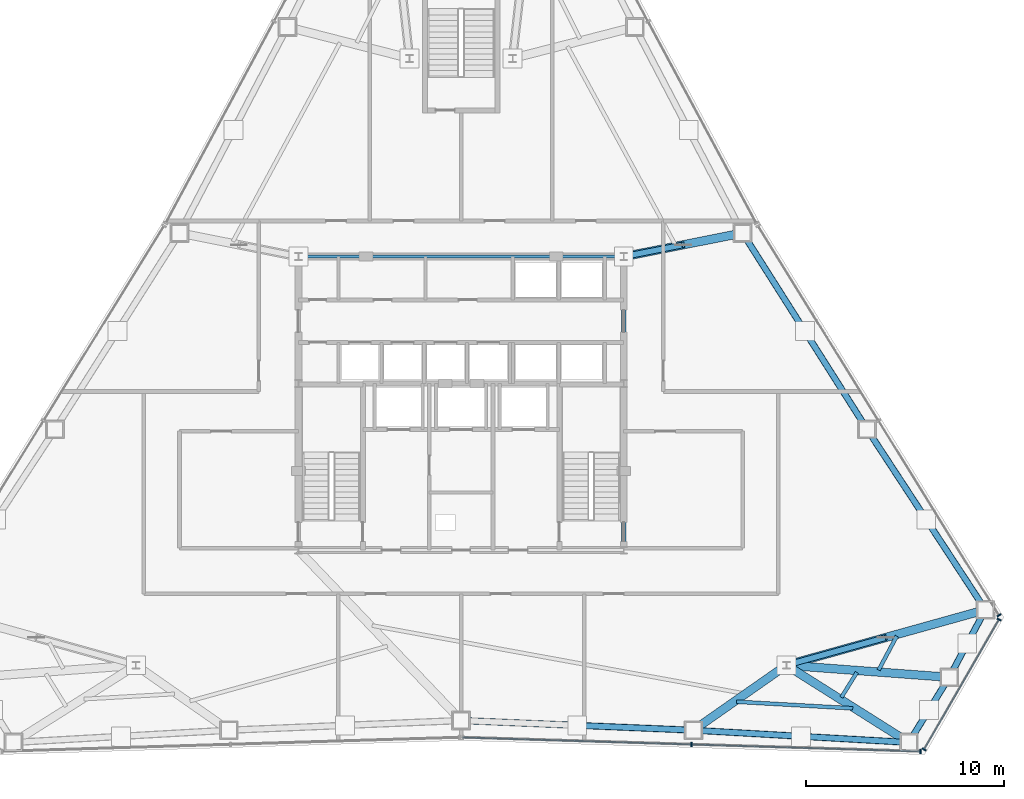
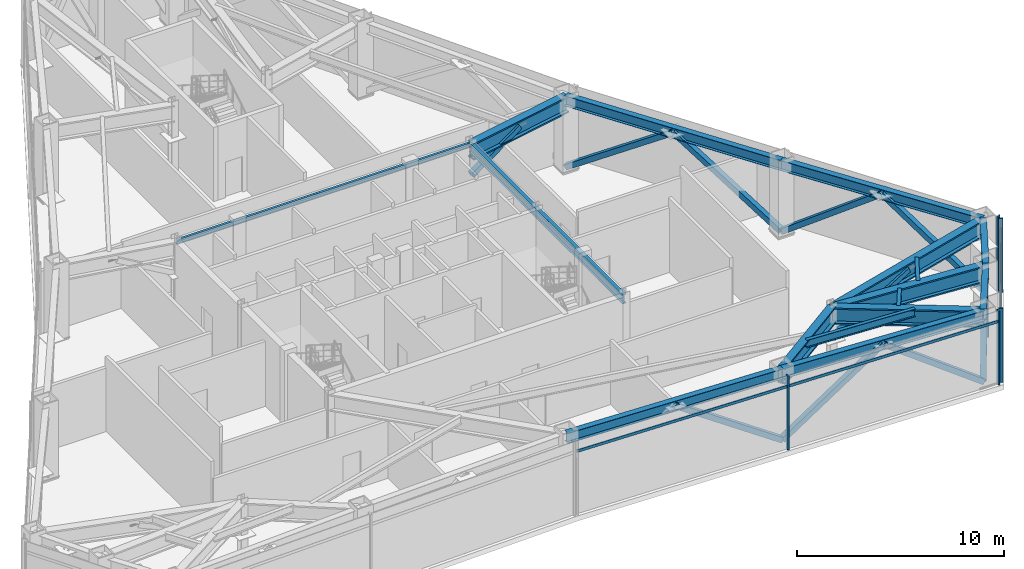
# One storey, part 5 of 12: 20 members, 16 beams, 3 elements without a shape of their own.
"""IFC4 building model written with IfcOpenShell, lengths in metres."""

from ifc_helpers import new_model, si_unit, direction, frame, origin, origin_2d, place, context, subcontext, project, spatial, rectangle, hollow_rectangle, i_section, extrude, source, transform, mapped, material, layer, layer_set, material_profile, profile_set, type_object, type_shapes, element, aggregate, save


model = new_model("IFC4")

# Units and contexts
model_context = context("Model", 3, precision=1e-05, world=origin(), true_north=direction((0.0, 1.0)))
body_context = subcontext(model_context, "Body", "Model", "MODEL_VIEW")
ifc_project = project(units=[si_unit("LENGTHUNIT", "METRE"), si_unit("AREAUNIT", "SQUARE_METRE"), si_unit("VOLUMEUNIT", "CUBIC_METRE"), si_unit("PLANEANGLEUNIT", "RADIAN"), si_unit("MASSUNIT", "GRAM", prefix="KILO")], contexts=[model_context])

# Site, building, storey
site_placement = place(None, origin())
site = spatial("IfcSite", under=ifc_project, at=site_placement, CompositionType="ELEMENT")
building_placement = place(site_placement, origin())
building = spatial("IfcBuilding", under=site, at=building_placement, Name="Varakhsha Concourse Tower", CompositionType="ELEMENT")
storey_placement = place(building_placement, frame((0.0, 0.0, 157.39990234375)))
storey = spatial("IfcBuildingStorey", under=building, at=storey_placement, Name="L45", CompositionType="ELEMENT", Elevation=157.39990234375)

# Beams
ifc_material_1 = material(Name="Structural Steel ASTM A992 Grade 50", Category="steel")
ifc_material_profile_1 = material_profile(ifc_material_1, i_section(OverallWidth=0.19091796875, OverallDepth=0.45703125, WebThickness=0.009033203125, FlangeThickness=0.013916015625, at=origin_2d()), Name="W18X50")
ifc_profile_set_1 = profile_set([ifc_material_profile_1], Name="Structural Steel ASTM A992 Grade 50")
beam_type_1 = type_object("IfcBeamType", Name="BM-JST-W18X50", PredefinedType="JOIST", material=ifc_profile_set_1)
beam_1_placement = place(storey_placement, frame((53.885498046875, 8.758544921875, 4.131591796875), z_axis=(0.998392580352, -0.056676763308, 0.0), x_axis=(0.056676763308, 0.998392580352, 0.0)))
element("IfcBeam", 1, at=beam_1_placement, inside=storey, type_object=beam_type_1, Name="BM-TJST-L45-12", PredefinedType="JOIST", context=body_context, shape_type="SweptSolid", body=[
    extrude(i_section(OverallWidth=0.19091796875, OverallDepth=0.45703125, WebThickness=0.009033203125, FlangeThickness=0.013916015625, at=origin_2d()), origin(), (0.0, 0.0, 1.0), 5.871337890625),
])
beam_2_placement = place(storey_placement, frame((59.17431640625, 8.980224609375, 4.131591796875), z_axis=(0.527194551397, 0.84974461162, 0.0), x_axis=(-0.84974461162, 0.527194551397, 0.0)))
element("IfcBeam", 2, at=beam_2_placement, inside=storey, type_object=beam_type_1, Name="BM-TJST-L45-13", PredefinedType="JOIST", context=body_context, shape_type="SweptSolid", body=[
    extrude(i_section(OverallWidth=0.19091796875, OverallDepth=0.45703125, WebThickness=0.009033203125, FlangeThickness=0.013916015625, at=origin_2d()), origin(), (0.0, 0.0, 1.0), 1.48046875),
])
beam_3_placement = place(storey_placement, frame((61.05029296875, 10.355712890625, 4.131591796875), z_axis=(0.47219702385, 0.881493034951, 0.0), x_axis=(-0.881493034951, 0.47219702385, 0.0)))
element("IfcBeam", 3, at=beam_3_placement, inside=storey, type_object=beam_type_1, Name="BM-TJST-L45-14", PredefinedType="JOIST", context=body_context, shape_type="SweptSolid", body=[
    extrude(i_section(OverallWidth=0.19091796875, OverallDepth=0.45703125, WebThickness=0.009033203125, FlangeThickness=0.013916015625, at=origin_2d()), origin(), (0.0, 0.0, 1.0), 1.944580078125),
])
ifc_material_profile_2 = material_profile(ifc_material_1, i_section(OverallWidth=0.14697265625, OverallDepth=0.261962890625, WebThickness=0.007080078125, FlangeThickness=0.010986328125, at=origin_2d()), Name="W10X26")
ifc_profile_set_2 = profile_set([ifc_material_profile_2], Name="Structural Steel ASTM A992 Grade 50")
beam_type_2 = type_object("IfcBeamType", Name="BM-LNTL-W10X26", PredefinedType="LINTEL", material=ifc_profile_set_2)
beam_4_placement = place(storey_placement, frame((31.800048828125, 31.199951171875, 4.22900390625), z_axis=(1.0, 0.0, 0.0), x_axis=(0.0, 1.0, 0.0)))
element("IfcBeam", 4, at=beam_4_placement, inside=storey, type_object=beam_type_2, Name="BM-TCORE-L45-CN", PredefinedType="LINTEL", context=body_context, shape_type="SweptSolid", body=[
    extrude(i_section(OverallWidth=0.14697265625, OverallDepth=0.261962890625, WebThickness=0.007080078125, FlangeThickness=0.010986328125, at=origin_2d()), origin(), (0.0, 0.0, 1.0), 16.39990234375),
])
ifc_material_profile_3 = material_profile(ifc_material_1, i_section(OverallWidth=0.2109375, OverallDepth=0.5390625, WebThickness=0.011962890625, FlangeThickness=0.01904296875, at=origin_2d()), Name="W21X73")
ifc_profile_set_3 = profile_set([ifc_material_profile_3], Name="Structural Steel ASTM A992 Grade 50")
beam_type_3 = type_object("IfcBeamType", Name="BM-RAD-W21X73", PredefinedType="BEAM", material=ifc_profile_set_3)
beam_5_placement = place(storey_placement, frame((48.199951171875, 16.39990234375, 4.090576171875), z_axis=(0.0, 1.0, 0.0), x_axis=(-1.0, 0.0, 0.0)))
element("IfcBeam", 5, at=beam_5_placement, inside=storey, type_object=beam_type_3, Name="BM-TCORE-L45-CE", PredefinedType="BEAM", context=body_context, shape_type="SweptSolid", body=[
    extrude(i_section(OverallWidth=0.2109375, OverallDepth=0.5390625, WebThickness=0.011962890625, FlangeThickness=0.01904296875, at=origin_2d()), origin(), (0.0, 0.0, 1.0), 14.800048828125),
])
ifc_material_profile_4 = material_profile(ifc_material_1, i_section(OverallWidth=0.323974609375, OverallDepth=0.611083984375, WebThickness=0.012939453125, FlangeThickness=0.01904296875, at=origin_2d()), Name="W24X104")
ifc_profile_set_4 = profile_set([ifc_material_profile_4], Name="Structural Steel ASTM A992 Grade 50")
beam_type_4 = type_object("IfcBeamType", Name="BM-SPAN-W24X104", PredefinedType="SPANDREL", material=ifc_profile_set_4)
beam_6_placement = place(storey_placement, frame((40.0, 7.812255859375, 4.0546875), z_axis=(0.999128809081, -0.041732755292, 0.0), x_axis=(0.041732755292, 0.999128809081, 0.0)))
element("IfcBeam", 6, at=beam_6_placement, inside=storey, type_object=beam_type_4, Name="BM-SPAN-L45-11", PredefinedType="SPANDREL", context=body_context, shape_type="SweptSolid", body=[
    extrude(i_section(OverallWidth=0.323974609375, OverallDepth=0.611083984375, WebThickness=0.012939453125, FlangeThickness=0.01904296875, at=origin_2d()), origin(), (0.0, 0.0, 1.0), 11.7236328125),
])
beam_7_placement = place(storey_placement, frame((51.71337890625, 7.322998046875, 4.0546875), z_axis=(0.998392776911, -0.056673300699, 0.0), x_axis=(0.056673300699, 0.998392776911, 0.0)))
element("IfcBeam", 7, at=beam_7_placement, inside=storey, type_object=beam_type_4, Name="BM-SPAN-L45-12", PredefinedType="SPANDREL", context=body_context, shape_type="SweptSolid", body=[
    extrude(i_section(OverallWidth=0.323974609375, OverallDepth=0.611083984375, WebThickness=0.012939453125, FlangeThickness=0.01904296875, at=origin_2d()), origin(), (0.0, 0.0, 1.0), 10.87744140625),
])
for number, where, z_axis, x_axis, name in (
    (8, (62.5732421875, 6.70654296875, 4.0546875), (0.52724807345, 0.849711403385, 0.0), (-0.849711403385, 0.52724807345, 0.0), "BM-SPAN-L45-13"),
    (9, (64.611083984375, 9.99072265625, 4.0546875), (0.472226671097, 0.881477152911, 0.0), (-0.881477152911, 0.472226671097, 0.0), "BM-SPAN-L45-14"),
):
    element("IfcBeam", number, at=place(storey_placement, frame(where, z_axis=z_axis, x_axis=x_axis)), inside=storey, type_object=beam_type_4, Name=name, PredefinedType="SPANDREL", context=body_context, shape_type="SweptSolid", body=[
        extrude(i_section(OverallWidth=0.323974609375, OverallDepth=0.611083984375, WebThickness=0.012939453125, FlangeThickness=0.01904296875, at=origin_2d()), origin(), (0.0, 0.0, 1.0), 3.864990234375),
    ])
beam_8_placement = place(storey_placement, frame((66.436279296875, 13.397705078125, 4.0546875), z_axis=(-0.548266128306, 0.836303923555, 0.0), x_axis=(-0.836303923555, -0.548266128306, 0.0)))
element("IfcBeam", 10, at=beam_8_placement, inside=storey, type_object=beam_type_4, Name="BM-SPAN-L45-15", PredefinedType="SPANDREL", context=body_context, shape_type="SweptSolid", body=[
    extrude(i_section(OverallWidth=0.323974609375, OverallDepth=0.611083984375, WebThickness=0.012939453125, FlangeThickness=0.01904296875, at=origin_2d()), origin(), (0.0, 0.0, 1.0), 10.877197265625),
])
beam_9_placement = place(storey_placement, frame((60.47265625, 22.494384765625, 4.0546875), z_axis=(-0.535714805069, 0.844398986043, 0.0), x_axis=(-0.844398986043, -0.535714805069, 0.0)))
element("IfcBeam", 11, at=beam_9_placement, inside=storey, type_object=beam_type_4, Name="BM-SPAN-L45-16", PredefinedType="SPANDREL", context=body_context, shape_type="SweptSolid", body=[
    extrude(i_section(OverallWidth=0.323974609375, OverallDepth=0.611083984375, WebThickness=0.012939453125, FlangeThickness=0.01904296875, at=origin_2d()), origin(), (0.0, 0.0, 1.0), 11.7236328125),
])
ifc_material_profile_5 = material_profile(ifc_material_1, i_section(OverallWidth=0.427978515625, OverallDepth=0.97509765625, WebThickness=0.050048828125, FlangeThickness=0.0810546875, at=origin_2d()), Name="W36X395")
ifc_profile_set_5 = profile_set([ifc_material_profile_5], Name="Structural Steel ASTM A992 Grade 50")
beam_type_5 = type_object("IfcBeamType", Name="BM-XFER-W36X395", PredefinedType="USERDEFINED", material=ifc_profile_set_5)
beam_10_placement = place(storey_placement, frame((56.39990234375, 10.60009765625, 3.87255859375), z_axis=(-0.81951662418, -0.573055409792, 0.0), x_axis=(0.573055409792, -0.81951662418, 0.0)))
element("IfcBeam", 12, at=beam_10_placement, inside=storey, type_object=beam_type_5, Name="L45 Outrigger Top Chord 12", ObjectType="GIRDER", PredefinedType="USERDEFINED", context=body_context, shape_type="SweptSolid", body=[
    extrude(i_section(OverallWidth=0.427978515625, OverallDepth=0.97509765625, WebThickness=0.050048828125, FlangeThickness=0.0810546875, at=origin_2d()), origin(), (0.0, 0.0, 1.0), 5.71875),
])
beam_11_placement = place(storey_placement, frame((56.39990234375, 10.60009765625, 3.87255859375), z_axis=(0.845822577747, -0.533464307123, 0.0), x_axis=(0.533464307123, 0.845822577747, 0.0)))
element("IfcBeam", 13, at=beam_11_placement, inside=storey, type_object=beam_type_5, Name="L45 Outrigger Top Chord 13", ObjectType="GIRDER", PredefinedType="USERDEFINED", context=body_context, shape_type="SweptSolid", body=[
    extrude(i_section(OverallWidth=0.427978515625, OverallDepth=0.97509765625, WebThickness=0.050048828125, FlangeThickness=0.0810546875, at=origin_2d()), origin(), (0.0, 0.0, 1.0), 7.298583984375),
])
beam_12_placement = place(storey_placement, frame((56.39990234375, 10.60009765625, 3.87255859375), z_axis=(0.99725755111, -0.074009301804, 0.0), x_axis=(0.074009301804, 0.99725755111, 0.0)))
element("IfcBeam", 14, at=beam_12_placement, inside=storey, type_object=beam_type_5, Name="L45 Outrigger Top Chord 14", ObjectType="GIRDER", PredefinedType="USERDEFINED", context=body_context, shape_type="SweptSolid", body=[
    extrude(i_section(OverallWidth=0.427978515625, OverallDepth=0.97509765625, WebThickness=0.050048828125, FlangeThickness=0.0810546875, at=origin_2d()), origin(), (0.0, 0.0, 1.0), 8.233642578125),
])
beam_13_placement = place(storey_placement, frame((56.39990234375, 10.60009765625, 3.87255859375), z_axis=(0.963276818964, 0.268510279221, 0.0), x_axis=(-0.268510279221, 0.963276818964, 0.0)))
element("IfcBeam", 15, at=beam_13_placement, inside=storey, type_object=beam_type_5, Name="L45 Outrigger Top Chord 15", ObjectType="GIRDER", PredefinedType="USERDEFINED", context=body_context, shape_type="SweptSolid", body=[
    extrude(i_section(OverallWidth=0.427978515625, OverallDepth=0.97509765625, WebThickness=0.050048828125, FlangeThickness=0.0810546875, at=origin_2d()), origin(), (0.0, 0.0, 1.0), 10.4189453125),
])
beam_14_placement = place(storey_placement, frame((48.199951171875, 31.199951171875, 3.87255859375), z_axis=(0.980724872564, 0.195393767391, 0.0), x_axis=(-0.195393767391, 0.980724872564, 0.0)))
element("IfcBeam", 16, at=beam_14_placement, inside=storey, type_object=beam_type_5, Name="L45 Outrigger Top Chord 17", ObjectType="GIRDER", PredefinedType="USERDEFINED", context=body_context, shape_type="SweptSolid", body=[
    extrude(i_section(OverallWidth=0.427978515625, OverallDepth=0.97509765625, WebThickness=0.050048828125, FlangeThickness=0.0810546875, at=origin_2d()), origin(), (0.0, 0.0, 1.0), 6.10986328125),
])

# Members
ifc_material_2 = material(Name="Structural Steel ASTM A500 Grade C", Category="steel")
ifc_material_profile_6 = material_profile(ifc_material_2, hollow_rectangle(XDim=0.300048828125, YDim=0.300048828125, WallThickness=0.013916015625, at=origin_2d()), Name="HSS 300x300x14")
ifc_profile_set_6 = profile_set([ifc_material_profile_6], Name="Structural Steel ASTM A500 Grade C")
member_type_1 = type_object("IfcMemberType", Name="MB-BELT-HSS300", PredefinedType="BRACE", material=ifc_profile_set_6)
shared_shape_1 = source(origin(), body_context, "Body", "SweptSolid", [
    extrude(hollow_rectangle(XDim=0.300048828125, YDim=0.300048828125, WallThickness=0.013916015625, at=origin_2d()), origin(), (0.0, 0.0, 1.0), 4.388427734375),
])
for number, where, z_axis, x_axis, name in (
    (17, (62.5732421875, 6.70654296875, 0.1201171875), (0.232212924428, 0.374188818808, 0.897808379114), (-0.849683104107, 0.52729367775, 0.0), "L45 Belt Truss Chevron 13A"),
    (18, (64.611083984375, 9.99072265625, 0.1201171875), (-0.23216029012, -0.374193652372, 0.897819976507), (0.8497397021, -0.527202464595, 0.0), "L45 Belt Truss Chevron 13B"),
    (19, (64.611083984375, 9.99072265625, 0.1201171875), (0.207960130568, 0.388158863288, 0.897822521964), (-0.881463065911, 0.472252965512, 0.0), "L45 Belt Truss Chevron 14A"),
    (20, (66.436279296875, 13.397705078125, 0.1201171875), (-0.207955639522, -0.388206113587, 0.897803132855), (0.881491237558, -0.472200379191, 0.0), "L45 Belt Truss Chevron 14B"),
):
    element("IfcMember", number, at=place(storey_placement, frame(where, z_axis=z_axis, x_axis=x_axis)), inside=storey, type_object=member_type_1, Name=name, PredefinedType="BRACE", context=body_context, shape_type="MappedRepresentation", body=[
        mapped(shared_shape_1, transform((0.0, 0.0, 0.0), scale=1.0)),
    ])
shared_shape_2 = source(origin(), body_context, "Body", "SweptSolid", [
    extrude(hollow_rectangle(XDim=0.300048828125, YDim=0.300048828125, WallThickness=0.013916015625, at=origin_2d()), origin(), (0.0, 0.0, 1.0), 6.7158203125),
])
for number, where, z_axis, x_axis, name in (
    (21, (51.71337890625, 7.322998046875, 0.1201171875), (0.808528585698, -0.045877571834, 0.586665811609), (0.056650927875, 0.998394046642, 0.0), "L45 Belt Truss Chevron 12A"),
    (22, (62.5732421875, 6.70654296875, 0.1201171875), (-0.808527236711, 0.045913848297, 0.586664832788), (-0.056695673438, -0.998391506681, 0.0), "L45 Belt Truss Chevron 12B"),
    (23, (66.436279296875, 13.397705078125, 0.1201171875), (-0.443986020951, 0.67726681162, 0.586673741596), (-0.83631421499, -0.548250429827, 0.0), "L45 Belt Truss Chevron 15A"),
    (24, (60.47265625, 22.494384765625, 0.1201171875), (0.44401520766, -0.677255880031, 0.586664272246), (0.836293632078, 0.548281826205, 0.0), "L45 Belt Truss Chevron 15B"),
):
    element("IfcMember", number, at=place(storey_placement, frame(where, z_axis=z_axis, x_axis=x_axis)), inside=storey, type_object=member_type_1, Name=name, PredefinedType="BRACE", context=body_context, shape_type="MappedRepresentation", body=[
        mapped(shared_shape_2, transform((0.0, 0.0, 0.0), scale=1.0)),
    ])
shared_shape_3 = source(origin(), body_context, "Body", "SweptSolid", [
    extrude(hollow_rectangle(XDim=0.300048828125, YDim=0.300048828125, WallThickness=0.013916015625, at=origin_2d()), origin(), (0.0, 0.0, 1.0), 7.06298828125),
])
member_1_placement = place(storey_placement, frame((54.192138671875, 32.393798828125, 0.1201171875), z_axis=(0.44462974102, -0.700802563121, 0.557835245322), x_axis=(0.844389565828, 0.535729653016, 0.0)))
element("IfcMember", 25, at=member_1_placement, inside=storey, type_object=member_type_1, Name="L45 Belt Truss Chevron 16B", PredefinedType="BRACE", context=body_context, shape_type="MappedRepresentation", body=[
    mapped(shared_shape_3, transform((0.0, 0.0, 0.0), scale=1.0)),
])
shared_shape_4 = source(origin(), body_context, "Body", "SweptSolid", [
    extrude(hollow_rectangle(XDim=0.300048828125, YDim=0.300048828125, WallThickness=0.013916015625, at=origin_2d()), origin(), (0.0, 0.0, 1.0), 7.062744140625),
])
type_shapes(member_type_1, [shared_shape_1, shared_shape_2, shared_shape_3, shared_shape_4])
for number, where, z_axis, x_axis, name in (
    (26, (51.71337890625, 7.322998046875, 0.1201171875), (-0.829225144257, 0.034636024617, 0.557840484306), (-0.041732755292, -0.999128809081, 0.0), "L45 Belt Truss Chevron 11B"),
    (27, (60.47265625, 22.494384765625, 0.1201171875), (-0.444602007472, 0.700813333812, 0.557843818736), (-0.844408406206, -0.535699956625, 0.0), "L45 Belt Truss Chevron 16A"),
):
    element("IfcMember", number, at=place(storey_placement, frame(where, z_axis=z_axis, x_axis=x_axis)), inside=storey, type_object=member_type_1, Name=name, PredefinedType="BRACE", context=body_context, shape_type="MappedRepresentation", body=[
        mapped(shared_shape_4, transform((0.0, 0.0, 0.0), scale=1.0)),
    ])
ifc_material_profile_7 = material_profile(ifc_material_2, hollow_rectangle(XDim=0.300048828125, YDim=0.300048828125, WallThickness=0.013916015625, at=origin_2d()), Name="HSS 300x300x14")
ifc_profile_set_7 = profile_set([ifc_material_profile_7], Name="Structural Steel ASTM A500 Grade C")
member_type_2 = type_object("IfcMemberType", Name="MB-OUTR-HSS300", PredefinedType="STRUT", material=ifc_profile_set_7)
shared_shape_5 = source(origin(), body_context, "Body", "SweptSolid", [
    extrude(hollow_rectangle(XDim=0.300048828125, YDim=0.300048828125, WallThickness=0.013916015625, at=origin_2d()), origin(), (0.0, 0.0, 1.0), 3.385986328125),
])
member_2_placement = place(storey_placement, frame((48.199951171875, 31.199951171875, 2.4501953125), z_axis=(0.884871238095, 0.176296461632, 0.431187255851), x_axis=(-0.195393767391, 0.980724872564, 0.0)))
element("IfcMember", 28, at=member_2_placement, inside=storey, type_object=member_type_2, Name="L45 Outrigger Truss Strut 09", PredefinedType="STRUT", context=body_context, shape_type="MappedRepresentation", body=[
    mapped(shared_shape_5, transform((0.0, 0.0, 0.0), scale=1.0)),
])
shared_shape_6 = source(origin(), body_context, "Body", "SweptSolid", [
    extrude(hollow_rectangle(XDim=0.300048828125, YDim=0.300048828125, WallThickness=0.013916015625, at=origin_2d()), origin(), (0.0, 0.0, 1.0), 5.410400390625),
])
type_shapes(member_type_2, [shared_shape_5, shared_shape_6])
member_3_placement = place(storey_placement, frame((56.39990234375, 10.60009765625, 2.4501953125), z_axis=(0.927549285031, 0.258522493503, 0.26984892846), x_axis=(-0.268482475967, 0.963284568598, 0.0)))
element("IfcMember", 29, at=member_3_placement, inside=storey, type_object=member_type_2, Name="L45 Outrigger Truss Strut 08", PredefinedType="STRUT", context=body_context, shape_type="MappedRepresentation", body=[
    mapped(shared_shape_6, transform((0.0, 0.0, 0.0), scale=1.0)),
])

# Curtain wall, members
ifc_material_3 = material(Name="Anodised Bronze Architectural Aluminium AA 6063-T6", Category="aluminium")
ifc_layer = layer(ifc_material_3, 0.260009765625, Name="CW-SYS-06")
ifc_layer_set = layer_set([ifc_layer], Name="Anodised Bronze Architectural Aluminium AA 6063-T6")
curtain_wall_type = type_object("IfcCurtainWallType", Name="CW-SYS-06", PredefinedType="NOTDEFINED", material=ifc_layer_set)
curtain_wall_1_placement = place(storey_placement, origin())
curtain_wall_1 = element("IfcCurtainWall", 30, at=curtain_wall_1_placement, inside=storey, type_object=curtain_wall_type, Name="L45 Crystal Curtain Wall F6", PredefinedType="NOTDEFINED")
ifc_material_profile_8 = material_profile(ifc_material_3, rectangle(XDim=0.074951171875, YDim=0.219970703125, at=origin_2d()), Name="CWM-220X75")
ifc_profile_set_8 = profile_set([ifc_material_profile_8], Name="Anodised Bronze Architectural Aluminium AA 6063-T6")
member_type_3 = type_object("IfcMemberType", Name="CWM-220X75", PredefinedType="MULLION", material=ifc_profile_set_8)
shared_shape_7 = source(origin(), body_context, "Body", "SweptSolid", [
    extrude(rectangle(XDim=0.074951171875, YDim=0.219970703125, at=origin_2d()), origin(), (0.0, 0.0, 1.0), 4.360107421875),
])
type_shapes(member_type_3, [shared_shape_7])
member_4_placement = place(storey_placement, frame((63.158203125, 6.253173828125, 0.0), z_axis=(0.0, 0.0, 1.0), x_axis=(-0.999534070411, 0.030522812569, 0.0)))
member_4 = element("IfcMember", 31, at=member_4_placement, type_object=member_type_3, Name="CW-L45-F6 Mullion 00", PredefinedType="MULLION", context=body_context, shape_type="MappedRepresentation", body=[
    mapped(shared_shape_7, transform((0.0, 0.0, 0.0), scale=1.0)),
])
member_5_placement = place(storey_placement, frame((51.62158203125, 6.60546875, 0.0), z_axis=(0.0, 0.0, 1.0), x_axis=(-0.999534070411, 0.030522812569, 0.0)))
member_5 = element("IfcMember", 32, at=member_5_placement, type_object=member_type_3, Name="CW-L45-F6 Mullion 01", PredefinedType="MULLION", context=body_context, shape_type="MappedRepresentation", body=[
    mapped(shared_shape_7, transform((0.0, 0.0, 0.0), scale=1.0)),
])

curtain_wall_2_placement = place(storey_placement, origin())
curtain_wall_2 = element("IfcCurtainWall", 33, at=curtain_wall_2_placement, inside=storey, type_object=curtain_wall_type, Name="L45 Chamfer Curtain Wall F7", PredefinedType="NOTDEFINED")
member_6_placement = place(storey_placement, frame((67.12451171875, 12.904296875, 0.0), z_axis=(0.0, 0.0, 1.0), x_axis=(-0.499990930976, -0.866030639725, 0.0)))
member_6 = element("IfcMember", 34, at=member_6_placement, type_object=member_type_3, Name="CW-L45-F7 Mullion 00", PredefinedType="MULLION", context=body_context, shape_type="MappedRepresentation", body=[
    mapped(shared_shape_7, transform((0.0, 0.0, 0.0), scale=1.0)),
])
member_7_placement = place(storey_placement, frame((63.344482421875, 6.357177734375, 0.0), z_axis=(0.0, 0.0, 1.0), x_axis=(-0.499990930976, -0.866030639725, 0.0)))
member_7 = element("IfcMember", 35, at=member_7_placement, type_object=member_type_3, Name="CW-L45-F7 Mullion 01", PredefinedType="MULLION", context=body_context, shape_type="MappedRepresentation", body=[
    mapped(shared_shape_7, transform((0.0, 0.0, 0.0), scale=1.0)),
])

# Curtain wall, member
curtain_wall_3_placement = place(storey_placement, origin())
curtain_wall_3 = element("IfcCurtainWall", 36, at=curtain_wall_3_placement, inside=storey, type_object=curtain_wall_type, Name="L45 Crystal Curtain Wall F8", PredefinedType="NOTDEFINED")
member_8_placement = place(storey_placement, frame((67.121337890625, 13.117919921875, 0.0), z_axis=(0.0, 0.0, 1.0), x_axis=(0.526199082126, -0.850361409032, 0.0)))
member_8 = element("IfcMember", 37, at=member_8_placement, type_object=member_type_3, Name="CW-L45-F8 Mullion 02", PredefinedType="MULLION", context=body_context, shape_type="MappedRepresentation", body=[
    mapped(shared_shape_7, transform((0.0, 0.0, 0.0), scale=1.0)),
])
aggregate(curtain_wall_3, [member_8])

# Member
ifc_material_profile_9 = material_profile(ifc_material_3, rectangle(XDim=0.06494140625, YDim=0.159912109375, at=origin_2d()), Name="CWT-160X65")
ifc_profile_set_9 = profile_set([ifc_material_profile_9], Name="Anodised Bronze Architectural Aluminium AA 6063-T6")
member_type_4 = type_object("IfcMemberType", Name="CWT-160X65", PredefinedType="USERDEFINED", material=ifc_profile_set_9)
shared_shape_8 = source(origin(), body_context, "Body", "SweptSolid", [
    extrude(rectangle(XDim=0.06494140625, YDim=0.159912109375, at=origin_2d()), origin(), (0.0, 0.0, 1.0), 7.56005859375),
])
member_9_placement = place(storey_placement, frame((67.12451171875, 12.904296875, 3.710205078125), z_axis=(-0.500004791531, -0.866022637375, 0.0), x_axis=(0.866022637375, -0.500004791531, 0.0)))
member_9 = element("IfcMember", 38, at=member_9_placement, type_object=member_type_4, Name="CW-L45-F7 Transom 01", ObjectType="TRANSOM", PredefinedType="USERDEFINED", context=body_context, shape_type="MappedRepresentation", body=[
    mapped(shared_shape_8, transform((0.0, 0.0, 0.0), scale=1.0)),
])

aggregate(curtain_wall_2, [member_6, member_7, member_9])

shared_shape_9 = source(origin(), body_context, "Body", "SweptSolid", [
    extrude(rectangle(XDim=0.06494140625, YDim=0.159912109375, at=origin_2d()), origin(), (0.0, 0.0, 1.0), 23.084228515625),
])
type_shapes(member_type_4, [shared_shape_8, shared_shape_9])
member_10_placement = place(storey_placement, frame((63.158203125, 6.253173828125, 3.710205078125), z_axis=(-0.999534078535, 0.030522546537, 0.0), x_axis=(-0.030522546537, -0.999534078535, 0.0)))
member_10 = element("IfcMember", 39, at=member_10_placement, type_object=member_type_4, Name="CW-L45-F6 Transom 01", ObjectType="TRANSOM", PredefinedType="USERDEFINED", context=body_context, shape_type="MappedRepresentation", body=[
    mapped(shared_shape_9, transform((0.0, 0.0, 0.0), scale=1.0)),
])

aggregate(curtain_wall_1, [member_4, member_5, member_10])

save(model, "model.ifc")
